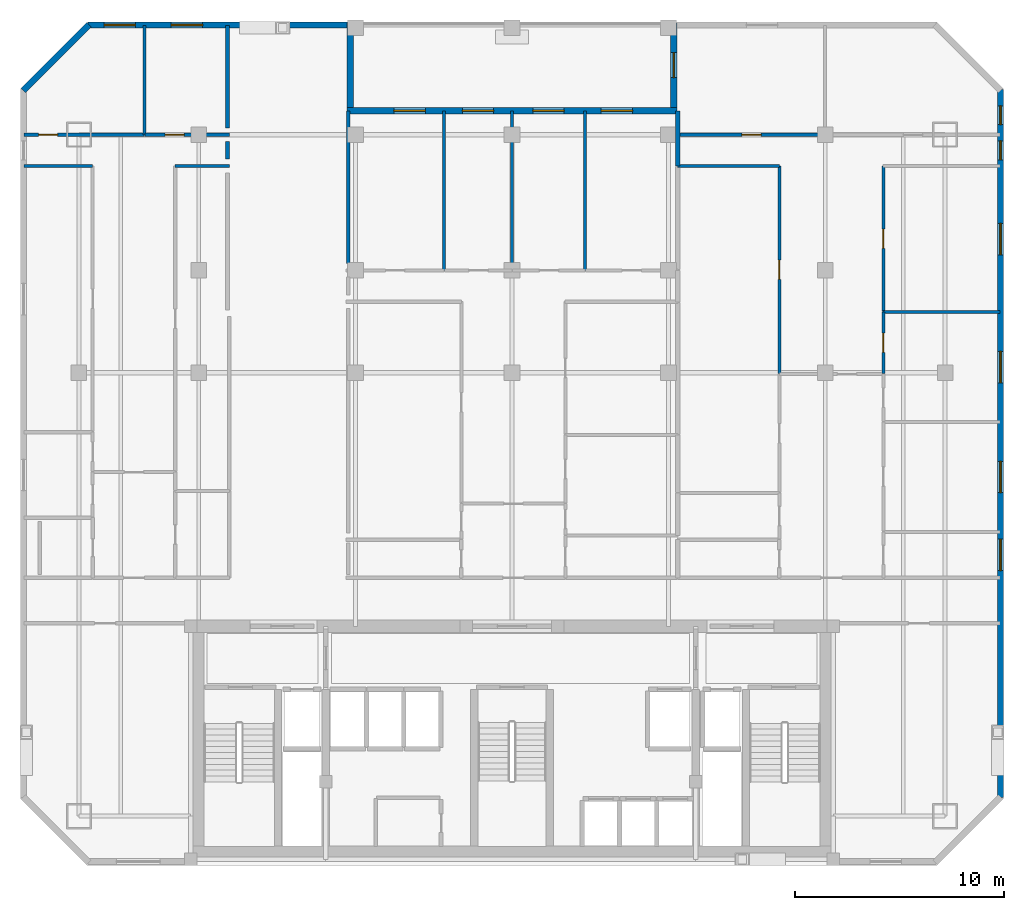
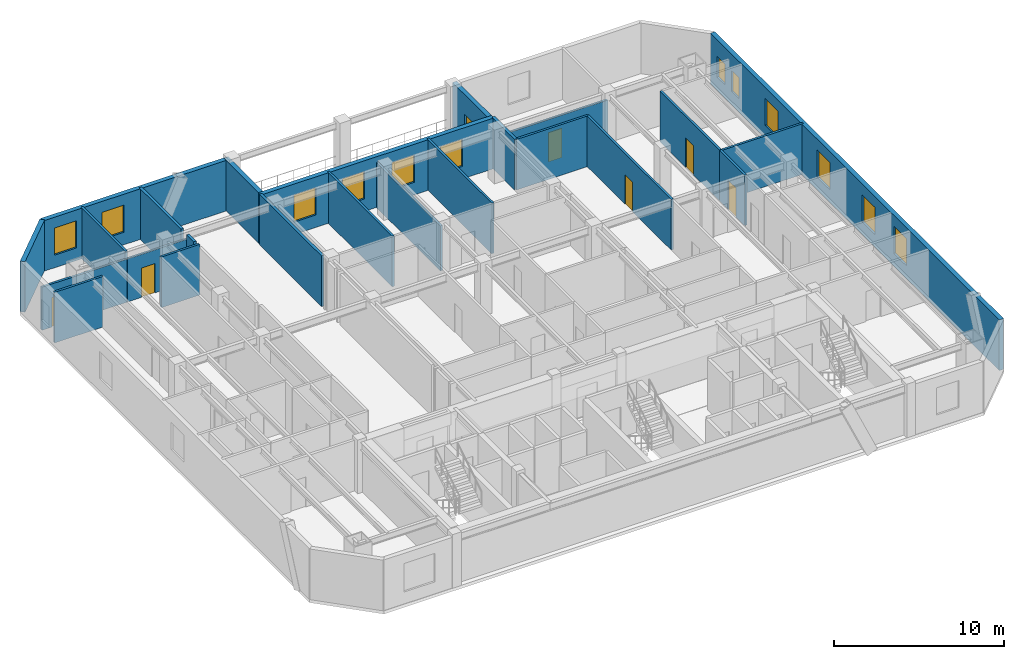
# One storey, part 6 of 8: 24 walls, 12 windows, 7 doors, 19 openings.
"""IFC4 building model written with IfcOpenShell, lengths in metres."""

from ifc_helpers import new_model, si_unit, direction, frame, frame_2d, origin, place, context, subcontext, project, spatial, rectangle, extrude, material, layer, layer_set, type_object, element, fill, save


model = new_model("IFC4")

# Units and contexts
model_context = context("Model", 3, precision=1e-05, world=origin(), true_north=direction((0.0, 1.0)))
body_context = subcontext(model_context, "Body", "Model", "MODEL_VIEW")
ifc_project = project(units=[si_unit("LENGTHUNIT", "METRE"), si_unit("AREAUNIT", "SQUARE_METRE"), si_unit("VOLUMEUNIT", "CUBIC_METRE"), si_unit("PLANEANGLEUNIT", "RADIAN"), si_unit("MASSUNIT", "GRAM", prefix="KILO")], contexts=[model_context])

# Site, building, storey
site_placement = place(None, origin())
site = spatial("IfcSite", under=ifc_project, at=site_placement, CompositionType="ELEMENT")
building_placement = place(site_placement, origin())
building = spatial("IfcBuilding", under=site, at=building_placement, Name="Ventersveld Concourse Tower", CompositionType="ELEMENT")
storey_placement = place(building_placement, frame((0.0, 0.0, 192.60009765625)))
storey = spatial("IfcBuildingStorey", under=building, at=storey_placement, Name="L47", CompositionType="ELEMENT", Elevation=192.60009765625)

# Walls
ifc_material_1 = material(Name="Fire-rated autoclaved aerated masonry blockwork", Category="masonry")
ifc_layer_1 = layer(ifc_material_1, 0.179931640625)
ifc_layer_set_1 = layer_set([ifc_layer_1], Name="Fire-rated autoclaved aerated masonry blockwork")
wall_type_1 = type_object("IfcWallType", Name="WL-CORR-180", PredefinedType="PARTITIONING", material=ifc_layer_set_1)
wall_1_placement = place(storey_placement, frame((15.1201171875, 34.675048828125, 0.0), z_axis=(0.0, 0.0, 1.0), x_axis=(0.0, -1.0, 0.0)))
element("IfcWall", 1, at=wall_1_placement, inside=storey, type_object=wall_type_1, Name="L47 Room Enclosure Wall SP-L47-47NW-LIV", PredefinedType="PARTITIONING", context=body_context, shape_type="SweptSolid", body=[
    extrude(rectangle(XDim=0.85009765625, YDim=0.179931640625, at=frame_2d((0.425048828125, 0.0))), origin(), (0.0, 0.0, 1.0), 3.6298828125),
])
wall_2_placement = place(storey_placement, frame((15.1201171875, 40.2275390625, 0.0), z_axis=(0.0, 0.0, 1.0), x_axis=(0.0, -1.0, 0.0)))
element("IfcWall", 2, at=wall_2_placement, inside=storey, type_object=wall_type_1, Name="L47 Room Enclosure Wall SP-L47-47NW-BR2", PredefinedType="PARTITIONING", context=body_context, shape_type="SweptSolid", body=[
    extrude(rectangle(XDim=4.902587890625, YDim=0.179931640625, at=frame_2d((2.451171875, 0.0))), origin(), (0.0, 0.0, 1.0), 3.6298828125),
])
wall_3_placement = place(storey_placement, frame((20.89990234375, 28.824951171875, 0.0), z_axis=(0.0, 0.0, 1.0), x_axis=(0.0, 1.0, 0.0)))
element("IfcWall", 3, at=wall_3_placement, inside=storey, type_object=wall_type_1, Name="L47 Room Enclosure Wall SP-L47-47CM-BR1", PredefinedType="PARTITIONING", context=body_context, shape_type="SweptSolid", body=[
    extrude(rectangle(XDim=7.302490234375, YDim=0.179931640625, at=frame_2d((3.6513671875, 0.0))), origin(), (0.0, 0.0, 1.0), 3.6298828125),
])
ifc_layer_2 = layer(ifc_material_1, 0.199951171875)
ifc_layer_set_2 = layer_set([ifc_layer_2], Name="Fire-rated autoclaved aerated masonry blockwork")
wall_type_2 = type_object("IfcWallType", Name="WL-DEMISE-200", PredefinedType="PARTITIONING", material=ifc_layer_set_2)
wall_4_placement = place(storey_placement, frame((36.68994140625, 33.4951171875, 0.0), z_axis=(0.0, 0.0, 1.0), x_axis=(0.0, 1.0, 0.0)))
element("IfcWall", 4, at=wall_4_placement, inside=storey, type_object=wall_type_2, Name="L47 Interior Partition SP-L47-47CE-LIV-SP-L47-47CM-BR4", PredefinedType="PARTITIONING", context=body_context, shape_type="SweptSolid", body=[
    extrude(rectangle(XDim=2.637939453125, YDim=0.199951171875, at=frame_2d((1.31884765625, 0.0))), origin(), (0.0, 0.0, 1.0), 3.6298828125),
])
ifc_material_2 = material(Name="Autoclaved aerated masonry blockwork", Category="masonry")
ifc_layer_3 = layer(ifc_material_2, 0.14990234375)
ifc_layer_set_3 = layer_set([ifc_layer_3], Name="Autoclaved aerated masonry blockwork")
wall_type_3 = type_object("IfcWallType", Name="WL-INT-150", PredefinedType="PARTITIONING", material=ifc_layer_set_3)
wall_5_placement = place(storey_placement, frame((5.37255859375, 33.5, 0.0), z_axis=(0.0, 0.0, 1.0), x_axis=(1.0, 0.0, 0.0)))
element("IfcWall", 5, at=wall_5_placement, inside=storey, type_object=wall_type_3, Name="L47 Interior Partition SP-L47-47NW-LIV-SP-L47-47NW-DENL", PredefinedType="PARTITIONING", context=body_context, shape_type="SweptSolid", body=[
    extrude(rectangle(XDim=3.291259765625, YDim=0.14990234375, at=frame_2d((1.6455078125, 0.0))), origin(), (0.0, 0.0, 1.0), 3.6298828125),
])
wall_6_placement = place(storey_placement, frame((12.61376953125, 33.5, 0.0), z_axis=(0.0, 0.0, 1.0), x_axis=(1.0, 0.0, 0.0)))
element("IfcWall", 6, at=wall_6_placement, inside=storey, type_object=wall_type_3, Name="L47 Interior Partition SP-L47-47NW-LIV-SP-L47-47NW-MEDR1", PredefinedType="PARTITIONING", context=body_context, shape_type="SweptSolid", body=[
    extrude(rectangle(XDim=2.601318359375, YDim=0.14990234375, at=frame_2d((1.30078125, 0.0))), origin(), (0.0, 0.0, 1.0), 3.6298828125),
])

# Wall, opening, door
wall_7_placement = place(storey_placement, frame((5.37255859375, 35.0, 0.0), z_axis=(0.0, 0.0, 1.0), x_axis=(1.0, 0.0, 0.0)))
wall_7 = element("IfcWall", 7, at=wall_7_placement, inside=storey, type_object=wall_type_3, Name="L47 Interior Partition SP-L47-47NW-LIV-SP-L47-47NW-BR1", PredefinedType="PARTITIONING", context=body_context, shape_type="SweptSolid", body=[
    extrude(rectangle(XDim=5.771240234375, YDim=0.14990234375, at=frame_2d((2.8857421875, 0.0))), origin(), (0.0, 0.0, 1.0), 3.08544921875),
])
opening_1_placement = place(wall_7_placement, frame((0.6943359375, 0.0, 0.0)))
opening_1 = element("IfcOpeningElement", 8, at=opening_1_placement, cuts=wall_7, Name="Opening ID1", PredefinedType="OPENING", context=body_context, shape_type="SweptSolid", body=[
    extrude(rectangle(XDim=0.919921875, YDim=2.10009765625, at=frame_2d((0.4599609375, 1.050048828125))), frame((0.0, 0.0849609375, 0.0), z_axis=(0.0, -1.0, 0.0), x_axis=(1.0, 0.0, 0.0)), (0.0, 0.0, 1.0), 0.169921875),
])
ifc_material_3 = material(Name="Solid-core hardwood veneer timber", Category="wood")
door_type_1 = type_object("IfcDoorType", Name="DR-ROOM-092", OperationType="NOTDEFINED", PredefinedType="DOOR", material=ifc_material_3)
door_1_placement = place(opening_1_placement, origin())
door_1 = element("IfcDoor", 9, at=door_1_placement, inside=storey, type_object=door_type_1, Name="L47 Interior Door SP-L47-47NW-LIV to SP-L47-47NW-BR1 (D-L47-2308)", OperationType="SINGLE_SWING_RIGHT", OverallHeight=2.10009765625, OverallWidth=0.919921875, PredefinedType="DOOR", context=body_context, shape_type="SweptSolid", body=[
    extrude(rectangle(XDim=0.919921875, YDim=2.10009765625, at=frame_2d((0.4599609375, 1.050048828125))), frame((0.0, 0.02490234375, 0.0), z_axis=(0.0, -1.0, 0.0), x_axis=(1.0, 0.0, 0.0)), (0.0, 0.0, 1.0), 0.050048828125),
])
fill(opening_1, door_1)

wall_8_placement = place(storey_placement, frame((11.173828125, 35.0, 0.0), z_axis=(0.0, 0.0, 1.0), x_axis=(1.0, 0.0, 0.0)))
wall_8 = element("IfcWall", 10, at=wall_8_placement, inside=storey, type_object=wall_type_3, Name="L47 Interior Partition SP-L47-47NW-LIV-SP-L47-47NW-BR2", PredefinedType="PARTITIONING", context=body_context, shape_type="SweptSolid", body=[
    extrude(rectangle(XDim=4.041259765625, YDim=0.14990234375, at=frame_2d((2.0205078125, 0.0))), origin(), (0.0, 0.0, 1.0), 3.08544921875),
])
opening_2_placement = place(wall_8_placement, frame((0.954345703125, 0.0, 0.0)))
opening_2 = element("IfcOpeningElement", 11, at=opening_2_placement, cuts=wall_8, Name="Opening ID1", PredefinedType="OPENING", context=body_context, shape_type="SweptSolid", body=[
    extrude(rectangle(XDim=0.919921875, YDim=2.10009765625, at=frame_2d((0.4599609375, 1.050048828125))), frame((0.0, 0.0849609375, 0.0), z_axis=(0.0, -1.0, 0.0), x_axis=(1.0, 0.0, 0.0)), (0.0, 0.0, 1.0), 0.169921875),
])
door_2_placement = place(opening_2_placement, origin())
door_2 = element("IfcDoor", 12, at=door_2_placement, inside=storey, type_object=door_type_1, Name="L47 Interior Door SP-L47-47NW-LIV to SP-L47-47NW-BR2 (D-L47-2309)", OperationType="SINGLE_SWING_LEFT", OverallHeight=2.10009765625, OverallWidth=0.919921875, PredefinedType="DOOR", context=body_context, shape_type="SweptSolid", body=[
    extrude(rectangle(XDim=0.919921875, YDim=2.10009765625, at=frame_2d((0.4599609375, 1.050048828125))), frame((0.0, 0.02490234375, 0.0), z_axis=(0.0, -1.0, 0.0), x_axis=(1.0, 0.0, 0.0)), (0.0, 0.0, 1.0), 0.050048828125),
])
fill(opening_2, door_2)

# Wall
wall_9_placement = place(storey_placement, frame((11.138916015625, 34.9951171875, 0.0), z_axis=(0.0, 0.0, 1.0), x_axis=(0.0, 1.0, 0.0)))
element("IfcWall", 13, at=wall_9_placement, inside=storey, type_object=wall_type_3, Name="L47 Interior Partition SP-L47-47NW-BR1-SP-L47-47NW-BR2", PredefinedType="PARTITIONING", context=body_context, shape_type="SweptSolid", body=[
    extrude(rectangle(XDim=5.232421875, YDim=0.14990234375, at=frame_2d((2.6162109375, 0.0))), origin(), (0.0, 0.0, 1.0), 3.6298828125),
])

# Wall, opening, door
wall_10_placement = place(storey_placement, frame((41.5595703125, 23.563232421875, 0.0), z_axis=(0.0, 0.0, 1.0), x_axis=(0.0, 1.0, 0.0)))
wall_10 = element("IfcWall", 14, at=wall_10_placement, inside=storey, type_object=wall_type_3, Name="L47 Interior Partition SP-L47-47CE-LIV-SP-L47-47CE-DENL", PredefinedType="PARTITIONING", context=body_context, shape_type="SweptSolid", body=[
    extrude(rectangle(XDim=9.941650390625, YDim=0.14990234375, at=frame_2d((4.970703125, 0.0))), origin(), (0.0, 0.0, 1.0), 3.6298828125),
])
opening_3_placement = place(wall_10_placement, frame((4.510986328125, 0.0, 0.0)))
opening_3 = element("IfcOpeningElement", 15, at=opening_3_placement, cuts=wall_10, Name="Opening ID1", PredefinedType="OPENING", context=body_context, shape_type="SweptSolid", body=[
    extrude(rectangle(XDim=0.919921875, YDim=2.10009765625, at=frame_2d((0.4599609375, 1.050048828125))), frame((0.0, 0.0849609375, 0.0), z_axis=(0.0, -1.0, 0.0), x_axis=(1.0, 0.0, 0.0)), (0.0, 0.0, 1.0), 0.169921875),
])
door_3_placement = place(opening_3_placement, origin())
door_3 = element("IfcDoor", 16, at=door_3_placement, inside=storey, type_object=door_type_1, Name="L47 Interior Door SP-L47-47CE-LIV to SP-L47-47CE-DENL (D-L47-2317)", OperationType="SINGLE_SWING_LEFT", OverallHeight=2.10009765625, OverallWidth=0.919921875, PredefinedType="DOOR", context=body_context, shape_type="SweptSolid", body=[
    extrude(rectangle(XDim=0.919921875, YDim=2.10009765625, at=frame_2d((0.4599609375, 1.050048828125))), frame((0.0, 0.02490234375, 0.0), z_axis=(0.0, -1.0, 0.0), x_axis=(1.0, 0.0, 0.0)), (0.0, 0.0, 1.0), 0.050048828125),
])
fill(opening_3, door_3)

# Wall
wall_11_placement = place(storey_placement, frame((36.68505859375, 33.5, 0.0), z_axis=(0.0, 0.0, 1.0), x_axis=(1.0, 0.0, 0.0)))
element("IfcWall", 17, at=wall_11_placement, inside=storey, type_object=wall_type_3, Name="L47 Interior Partition SP-L47-47CE-LIV-SP-L47-47CE-DENL", PredefinedType="PARTITIONING", context=body_context, shape_type="SweptSolid", body=[
    extrude(rectangle(XDim=4.879638671875, YDim=0.14990234375, at=frame_2d((2.43994140625, 0.0))), origin(), (0.0, 0.0, 1.0), 3.6298828125),
])

# Wall, opening, door
wall_12_placement = place(storey_placement, frame((46.53955078125, 23.563232421875, 0.0), z_axis=(0.0, 0.0, 1.0), x_axis=(0.0, 1.0, 0.0)))
wall_12 = element("IfcWall", 18, at=wall_12_placement, inside=storey, type_object=wall_type_3, Name="L47 Interior Partition SP-L47-47CE-LIV-SP-L47-47CE-DENS", PredefinedType="PARTITIONING", context=body_context, shape_type="SweptSolid", body=[
    extrude(rectangle(XDim=2.940185546875, YDim=0.14990234375, at=frame_2d((1.47021484375, 0.0))), origin(), (0.0, 0.0, 1.0), 3.6298828125),
])
opening_4_placement = place(wall_12_placement, frame((1.010009765625, 0.0, 0.0)))
opening_4 = element("IfcOpeningElement", 19, at=opening_4_placement, cuts=wall_12, Name="Opening ID1", PredefinedType="OPENING", context=body_context, shape_type="SweptSolid", body=[
    extrude(rectangle(XDim=0.919921875, YDim=2.10009765625, at=frame_2d((0.4599609375, 1.050048828125))), frame((0.0, 0.0849609375, 0.0), z_axis=(0.0, -1.0, 0.0), x_axis=(1.0, 0.0, 0.0)), (0.0, 0.0, 1.0), 0.169921875),
])
door_4_placement = place(opening_4_placement, origin())
door_4 = element("IfcDoor", 20, at=door_4_placement, inside=storey, type_object=door_type_1, Name="L47 Interior Door SP-L47-47CE-LIV to SP-L47-47CE-DENS (D-L47-2318)", OperationType="SINGLE_SWING_RIGHT", OverallHeight=2.10009765625, OverallWidth=0.919921875, PredefinedType="DOOR", context=body_context, shape_type="SweptSolid", body=[
    extrude(rectangle(XDim=0.919921875, YDim=2.10009765625, at=frame_2d((0.4599609375, 1.050048828125))), frame((0.0, 0.02490234375, 0.0), z_axis=(0.0, -1.0, 0.0), x_axis=(1.0, 0.0, 0.0)), (0.0, 0.0, 1.0), 0.050048828125),
])
fill(opening_4, door_4)

wall_13_placement = place(storey_placement, frame((46.53955078125, 26.533203125, 0.0), z_axis=(0.0, 0.0, 1.0), x_axis=(0.0, 1.0, 0.0)))
wall_13 = element("IfcWall", 21, at=wall_13_placement, inside=storey, type_object=wall_type_3, Name="L47 Interior Partition SP-L47-47CE-LIV-SP-L47-47CE-DENS2", PredefinedType="PARTITIONING", context=body_context, shape_type="SweptSolid", body=[
    extrude(rectangle(XDim=6.9716796875, YDim=0.14990234375, at=frame_2d((3.48583984375, 0.0))), origin(), (0.0, 0.0, 1.0), 3.6298828125),
])
opening_5_placement = place(wall_13_placement, frame((3.02587890625, 0.0, 0.0)))
opening_5 = element("IfcOpeningElement", 22, at=opening_5_placement, cuts=wall_13, Name="Opening ID1", PredefinedType="OPENING", context=body_context, shape_type="SweptSolid", body=[
    extrude(rectangle(XDim=0.919921875, YDim=2.10009765625, at=frame_2d((0.4599609375, 1.050048828125))), frame((0.0, 0.0849609375, 0.0), z_axis=(0.0, -1.0, 0.0), x_axis=(1.0, 0.0, 0.0)), (0.0, 0.0, 1.0), 0.169921875),
])
door_5_placement = place(opening_5_placement, origin())
door_5 = element("IfcDoor", 23, at=door_5_placement, inside=storey, type_object=door_type_1, Name="L47 Interior Door SP-L47-47CE-LIV to SP-L47-47CE-DENS2 (D-L47-2319)", OperationType="SINGLE_SWING_LEFT", OverallHeight=2.10009765625, OverallWidth=0.919921875, PredefinedType="DOOR", context=body_context, shape_type="SweptSolid", body=[
    extrude(rectangle(XDim=0.919921875, YDim=2.10009765625, at=frame_2d((0.4599609375, 1.050048828125))), frame((0.0, 0.02490234375, 0.0), z_axis=(0.0, -1.0, 0.0), x_axis=(1.0, 0.0, 0.0)), (0.0, 0.0, 1.0), 0.050048828125),
])
fill(opening_5, door_5)

wall_14_placement = place(storey_placement, frame((36.68505859375, 35.0, 0.0), z_axis=(0.0, 0.0, 1.0), x_axis=(1.0, 0.0, 0.0)))
wall_14 = element("IfcWall", 24, at=wall_14_placement, inside=storey, type_object=wall_type_3, Name="L47 Interior Partition SP-L47-47CE-LIV-SP-L47-47CE-BR1", PredefinedType="PARTITIONING", context=body_context, shape_type="SweptSolid", body=[
    extrude(rectangle(XDim=7.06982421875, YDim=0.14990234375, at=frame_2d((3.534912109375, 0.0))), origin(), (0.0, 0.0, 1.0), 3.08544921875),
])
opening_6_placement = place(wall_14_placement, frame((3.074951171875, 0.0, 0.0)))
opening_6 = element("IfcOpeningElement", 25, at=opening_6_placement, cuts=wall_14, Name="Opening ID1", PredefinedType="OPENING", context=body_context, shape_type="SweptSolid", body=[
    extrude(rectangle(XDim=0.919921875, YDim=2.10009765625, at=frame_2d((0.4599609375, 1.050048828125))), frame((0.0, 0.0849609375, 0.0), z_axis=(0.0, -1.0, 0.0), x_axis=(1.0, 0.0, 0.0)), (0.0, 0.0, 1.0), 0.169921875),
])
door_6_placement = place(opening_6_placement, origin())
door_6 = element("IfcDoor", 26, at=door_6_placement, inside=storey, type_object=door_type_1, Name="L47 Interior Door SP-L47-47CE-LIV to SP-L47-47CE-BR1 (D-L47-2320)", OperationType="SINGLE_SWING_RIGHT", OverallHeight=2.10009765625, OverallWidth=0.919921875, PredefinedType="DOOR", context=body_context, shape_type="SweptSolid", body=[
    extrude(rectangle(XDim=0.919921875, YDim=2.10009765625, at=frame_2d((0.4599609375, 1.050048828125))), frame((0.0, 0.02490234375, 0.0), z_axis=(0.0, -1.0, 0.0), x_axis=(1.0, 0.0, 0.0)), (0.0, 0.0, 1.0), 0.050048828125),
])
fill(opening_6, door_6)

# Walls
wall_15_placement = place(storey_placement, frame((46.53466796875, 26.498291015625, 0.0), z_axis=(0.0, 0.0, 1.0), x_axis=(1.0, 0.0, 0.0)))
element("IfcWall", 27, at=wall_15_placement, inside=storey, type_object=wall_type_3, Name="L47 Interior Partition SP-L47-47CE-DENS-SP-L47-47CE-DENS2", PredefinedType="PARTITIONING", context=body_context, shape_type="SweptSolid", body=[
    extrude(rectangle(XDim=5.5927734375, YDim=0.14990234375, at=frame_2d((2.79638671875, 0.0))), origin(), (0.0, 0.0, 1.0), 3.6298828125),
])
wall_16_placement = place(storey_placement, frame((25.490478515625, 28.4951171875, 0.0), z_axis=(0.0, 0.0, 1.0), x_axis=(0.0, 1.0, 0.0)))
element("IfcWall", 28, at=wall_16_placement, inside=storey, type_object=wall_type_3, Name="L47 Interior Partition SP-L47-47CM-BR1-SP-L47-47CM-BR2", PredefinedType="PARTITIONING", context=body_context, shape_type="SweptSolid", body=[
    extrude(rectangle(XDim=7.63232421875, YDim=0.14990234375, at=frame_2d((3.816162109375, 0.0))), origin(), (0.0, 0.0, 1.0), 3.6298828125),
])
wall_17_placement = place(storey_placement, frame((28.75, 28.4951171875, 0.0), z_axis=(0.0, 0.0, 1.0), x_axis=(0.0, 1.0, 0.0)))
element("IfcWall", 29, at=wall_17_placement, inside=storey, type_object=wall_type_3, Name="L47 Interior Partition SP-L47-47CM-BR2-SP-L47-47CM-BR3", PredefinedType="PARTITIONING", context=body_context, shape_type="SweptSolid", body=[
    extrude(rectangle(XDim=7.63232421875, YDim=0.14990234375, at=frame_2d((3.816162109375, 0.0))), origin(), (0.0, 0.0, 1.0), 3.223388671875),
])
wall_18_placement = place(storey_placement, frame((32.24609375, 28.4951171875, 0.0), z_axis=(0.0, 0.0, 1.0), x_axis=(0.0, 1.0, 0.0)))
element("IfcWall", 30, at=wall_18_placement, inside=storey, type_object=wall_type_3, Name="L47 Interior Partition SP-L47-47CM-BR3-SP-L47-47CM-BR4", PredefinedType="PARTITIONING", context=body_context, shape_type="SweptSolid", body=[
    extrude(rectangle(XDim=7.63232421875, YDim=0.14990234375, at=frame_2d((3.816162109375, 0.0))), origin(), (0.0, 0.0, 1.0), 3.6298828125),
])

# Wall, openings, windows
ifc_material_4 = material(Name="Precast concrete C45/55", Category="concrete")
ifc_layer_4 = layer(ifc_material_4, 0.300048828125)
ifc_layer_set_4 = layer_set([ifc_layer_4], Name="Precast concrete C45/55")
wall_type_4 = type_object("IfcWallType", Name="WL-PREC-300", PredefinedType="SOLIDWALL", material=ifc_layer_set_4)
wall_19_placement = place(storey_placement, frame((52.14990234375, 3.239990234375, 0.0), z_axis=(0.0, 0.0, 1.0), x_axis=(0.0, 1.0, 0.0)))
wall_19 = element("IfcWall", 31, at=wall_19_placement, inside=storey, type_object=wall_type_4, Name="L47 Highveld Precast Facade Wall E03", PredefinedType="SOLIDWALL", context=body_context, shape_type="SweptSolid", body=[
    extrude(rectangle(XDim=33.919921875, YDim=0.300048828125, at=frame_2d((16.9599609375, 0.0))), origin(), (0.0, 0.0, 1.0), 3.6298828125),
])
opening_7_placement = place(wall_19_placement, frame((30.56005859375, 0.0, 0.949951171875)))
opening_7 = element("IfcOpeningElement", 32, at=opening_7_placement, cuts=wall_19, Name="Opening W4", PredefinedType="OPENING", context=body_context, shape_type="SweptSolid", body=[
    extrude(rectangle(XDim=0.89990234375, YDim=1.5, at=frame_2d((0.449951171875, 0.75))), frame((0.0, 0.16015625, 0.0), z_axis=(0.0, -1.0, 0.0), x_axis=(1.0, 0.0, 0.0)), (0.0, 0.0, 1.0), 0.320068359375),
])
opening_8_placement = place(wall_19_placement, frame((10.88037109375, 0.0, 0.89990234375)))
opening_8 = element("IfcOpeningElement", 33, at=opening_8_placement, cuts=wall_19, Name="Opening W1", PredefinedType="OPENING", context=body_context, shape_type="SweptSolid", body=[
    extrude(rectangle(XDim=1.5, YDim=1.949951171875, at=frame_2d((0.75, 0.97509765625))), frame((0.0, 0.16015625, 0.0), z_axis=(0.0, -1.0, 0.0), x_axis=(1.0, 0.0, 0.0)), (0.0, 0.0, 1.0), 0.320068359375),
])
opening_9_placement = place(wall_19_placement, frame((14.61279296875, 0.0, 0.89990234375)))
opening_9 = element("IfcOpeningElement", 34, at=opening_9_placement, cuts=wall_19, Name="Opening W1", PredefinedType="OPENING", context=body_context, shape_type="SweptSolid", body=[
    extrude(rectangle(XDim=1.5, YDim=1.949951171875, at=frame_2d((0.75, 0.97509765625))), frame((0.0, 0.16015625, 0.0), z_axis=(0.0, -1.0, 0.0), x_axis=(1.0, 0.0, 0.0)), (0.0, 0.0, 1.0), 0.320068359375),
])
opening_10_placement = place(wall_19_placement, frame((19.87646484375, 0.0, 0.89990234375)))
opening_10 = element("IfcOpeningElement", 35, at=opening_10_placement, cuts=wall_19, Name="Opening W1", PredefinedType="OPENING", context=body_context, shape_type="SweptSolid", body=[
    extrude(rectangle(XDim=1.5, YDim=1.949951171875, at=frame_2d((0.75, 0.97509765625))), frame((0.0, 0.16015625, 0.0), z_axis=(0.0, -1.0, 0.0), x_axis=(1.0, 0.0, 0.0)), (0.0, 0.0, 1.0), 0.320068359375),
])
opening_11_placement = place(wall_19_placement, frame((26.009033203125, 0.0, 0.89990234375)))
opening_11 = element("IfcOpeningElement", 36, at=opening_11_placement, cuts=wall_19, Name="Opening W1", PredefinedType="OPENING", context=body_context, shape_type="SweptSolid", body=[
    extrude(rectangle(XDim=1.5, YDim=1.949951171875, at=frame_2d((0.75, 0.97509765625))), frame((0.0, 0.16015625, 0.0), z_axis=(0.0, -1.0, 0.0), x_axis=(1.0, 0.0, 0.0)), (0.0, 0.0, 1.0), 0.320068359375),
])
opening_12_placement = place(wall_19_placement, frame((32.239990234375, 0.0, 0.949951171875)))
opening_12 = element("IfcOpeningElement", 37, at=opening_12_placement, cuts=wall_19, Name="Opening W4", PredefinedType="OPENING", context=body_context, shape_type="SweptSolid", body=[
    extrude(rectangle(XDim=0.89990234375, YDim=1.5, at=frame_2d((0.449951171875, 0.75))), frame((0.0, 0.16015625, 0.0), z_axis=(0.0, -1.0, 0.0), x_axis=(1.0, 0.0, 0.0)), (0.0, 0.0, 1.0), 0.320068359375),
])
ifc_material_5 = material(Name="Tempered acoustic Low-E IGU", Category="glass")
window_type_1 = type_object("IfcWindowType", Name="WIN-090x150", PartitioningType="SINGLE_PANEL", PredefinedType="WINDOW", material=ifc_material_5)
window_1_placement = place(opening_7_placement, origin())
window_1 = element("IfcWindow", 38, at=window_1_placement, inside=storey, type_object=window_type_1, Name="L47 Punched Low-E Window W-0658", OverallHeight=1.5, OverallWidth=0.89990234375, PartitioningType="SINGLE_PANEL", PredefinedType="WINDOW", context=body_context, shape_type="SweptSolid", body=[
    extrude(rectangle(XDim=0.89990234375, YDim=1.5, at=frame_2d((0.449951171875, 0.75))), frame((0.0, 0.030029296875, 0.0), z_axis=(0.0, -1.0, 0.0), x_axis=(1.0, 0.0, 0.0)), (0.0, 0.0, 1.0), 0.06005859375),
])
fill(opening_7, window_1)
window_2_placement = place(opening_12_placement, origin())
window_2 = element("IfcWindow", 39, at=window_2_placement, inside=storey, type_object=window_type_1, Name="L47 Punched Low-E Window W-0664", OverallHeight=1.5, OverallWidth=0.89990234375, PartitioningType="SINGLE_PANEL", PredefinedType="WINDOW", context=body_context, shape_type="SweptSolid", body=[
    extrude(rectangle(XDim=0.89990234375, YDim=1.5, at=frame_2d((0.449951171875, 0.75))), frame((0.0, 0.030029296875, 0.0), z_axis=(0.0, -1.0, 0.0), x_axis=(1.0, 0.0, 0.0)), (0.0, 0.0, 1.0), 0.06005859375),
])
fill(opening_12, window_2)
window_type_2 = type_object("IfcWindowType", Name="WIN-150x210", PartitioningType="SINGLE_PANEL", PredefinedType="WINDOW", material=ifc_material_5)
window_3_placement = place(opening_8_placement, origin())
window_3 = element("IfcWindow", 40, at=window_3_placement, inside=storey, type_object=window_type_2, Name="L47 Punched Low-E Window W-0659", OverallHeight=1.949951171875, OverallWidth=1.5, PartitioningType="SINGLE_PANEL", PredefinedType="WINDOW", context=body_context, shape_type="SweptSolid", body=[
    extrude(rectangle(XDim=1.5, YDim=1.949951171875, at=frame_2d((0.75, 0.97509765625))), frame((0.0, 0.030029296875, 0.0), z_axis=(0.0, -1.0, 0.0), x_axis=(1.0, 0.0, 0.0)), (0.0, 0.0, 1.0), 0.06005859375),
])
fill(opening_8, window_3)
window_4_placement = place(opening_9_placement, origin())
window_4 = element("IfcWindow", 41, at=window_4_placement, inside=storey, type_object=window_type_2, Name="L47 Punched Low-E Window W-0660", OverallHeight=1.949951171875, OverallWidth=1.5, PartitioningType="SINGLE_PANEL", PredefinedType="WINDOW", context=body_context, shape_type="SweptSolid", body=[
    extrude(rectangle(XDim=1.5, YDim=1.949951171875, at=frame_2d((0.75, 0.97509765625))), frame((0.0, 0.030029296875, 0.0), z_axis=(0.0, -1.0, 0.0), x_axis=(1.0, 0.0, 0.0)), (0.0, 0.0, 1.0), 0.06005859375),
])
fill(opening_9, window_4)
window_5_placement = place(opening_10_placement, origin())
window_5 = element("IfcWindow", 42, at=window_5_placement, inside=storey, type_object=window_type_2, Name="L47 Punched Low-E Window W-0661", OverallHeight=1.949951171875, OverallWidth=1.5, PartitioningType="SINGLE_PANEL", PredefinedType="WINDOW", context=body_context, shape_type="SweptSolid", body=[
    extrude(rectangle(XDim=1.5, YDim=1.949951171875, at=frame_2d((0.75, 0.97509765625))), frame((0.0, 0.030029296875, 0.0), z_axis=(0.0, -1.0, 0.0), x_axis=(1.0, 0.0, 0.0)), (0.0, 0.0, 1.0), 0.06005859375),
])
fill(opening_10, window_5)
window_6_placement = place(opening_11_placement, origin())
window_6 = element("IfcWindow", 43, at=window_6_placement, inside=storey, type_object=window_type_2, Name="L47 Punched Low-E Window W-0662", OverallHeight=1.949951171875, OverallWidth=1.5, PartitioningType="SINGLE_PANEL", PredefinedType="WINDOW", context=body_context, shape_type="SweptSolid", body=[
    extrude(rectangle(XDim=1.5, YDim=1.949951171875, at=frame_2d((0.75, 0.97509765625))), frame((0.0, 0.030029296875, 0.0), z_axis=(0.0, -1.0, 0.0), x_axis=(1.0, 0.0, 0.0)), (0.0, 0.0, 1.0), 0.06005859375),
])
fill(opening_11, window_6)

# Wall, opening, door
wall_20_placement = place(storey_placement, frame((36.5, 40.360107421875, 0.0), z_axis=(0.0, 0.0, 1.0), x_axis=(0.0, -1.0, 0.0)))
wall_20 = element("IfcWall", 44, at=wall_20_placement, inside=storey, type_object=wall_type_4, Name="L47 Highveld Precast Facade Wall E06", PredefinedType="SOLIDWALL", context=body_context, shape_type="SweptSolid", body=[
    extrude(rectangle(XDim=4.06005859375, YDim=0.300048828125, at=frame_2d((2.030029296875, 0.0))), origin(), (0.0, 0.0, 1.0), 3.6298828125),
])
opening_13_placement = place(wall_20_placement, frame((1.429931640625, 0.0, 0.0)))
opening_13 = element("IfcOpeningElement", 45, at=opening_13_placement, cuts=wall_20, Name="Opening TD1", PredefinedType="OPENING", context=body_context, shape_type="SweptSolid", body=[
    extrude(rectangle(XDim=1.199951171875, YDim=2.199951171875, at=frame_2d((0.60009765625, 1.10009765625))), frame((0.0, 0.16015625, 0.0), z_axis=(0.0, -1.0, 0.0), x_axis=(1.0, 0.0, 0.0)), (0.0, 0.0, 1.0), 0.320068359375),
])
ifc_material_6 = material(Name="Anodised aluminium EN AW-6063-T6", Category="aluminium")
door_type_2 = type_object("IfcDoorType", Name="DR-TERR-120", OperationType="NOTDEFINED", PredefinedType="DOOR", material=ifc_material_6)
door_7_placement = place(opening_13_placement, frame((1.199951171875, 0.0, 0.0), z_axis=(0.0, 0.0, 1.0), x_axis=(-1.0, 0.0, 0.0)))
door_7 = element("IfcDoor", 46, at=door_7_placement, inside=storey, type_object=door_type_2, Name="L47 Stepped Valley Terrace Door TD-L47-01", OperationType="SINGLE_SWING_RIGHT", OverallHeight=2.199951171875, OverallWidth=1.199951171875, PredefinedType="DOOR", context=body_context, shape_type="SweptSolid", body=[
    extrude(rectangle(XDim=1.199951171875, YDim=2.199951171875, at=frame_2d((0.60009765625, 1.10009765625))), frame((0.0, 0.02490234375, 0.0), z_axis=(0.0, -1.0, 0.0), x_axis=(1.0, 0.0, 0.0)), (0.0, 0.0, 1.0), 0.050048828125),
])
fill(opening_13, door_7)

# Wall, openings, windows
wall_21_placement = place(storey_placement, frame((36.64990234375, 36.14990234375, 0.0), z_axis=(0.0, 0.0, 1.0), x_axis=(-1.0, 0.0, 0.0)))
wall_21 = element("IfcWall", 47, at=wall_21_placement, inside=storey, type_object=wall_type_4, Name="L47 Highveld Precast Facade Wall E07", PredefinedType="SOLIDWALL", context=body_context, shape_type="SweptSolid", body=[
    extrude(rectangle(XDim=15.7998046875, YDim=0.300048828125, at=frame_2d((7.89990234375, 0.0))), origin(), (0.0, 0.0, 1.0), 3.6298828125),
])
opening_14_placement = place(wall_21_placement, frame((12.055419921875, 0.0, 0.89990234375)))
opening_14 = element("IfcOpeningElement", 48, at=opening_14_placement, cuts=wall_21, Name="Opening W1", PredefinedType="OPENING", context=body_context, shape_type="SweptSolid", body=[
    extrude(rectangle(XDim=1.5, YDim=1.949951171875, at=frame_2d((0.75, 0.97509765625))), frame((0.0, 0.16015625, 0.0), z_axis=(0.0, -1.0, 0.0), x_axis=(1.0, 0.0, 0.0)), (0.0, 0.0, 1.0), 0.320068359375),
])
opening_15_placement = place(wall_21_placement, frame((8.77978515625, 0.0, 0.89990234375)))
opening_15 = element("IfcOpeningElement", 49, at=opening_15_placement, cuts=wall_21, Name="Opening W1", PredefinedType="OPENING", context=body_context, shape_type="SweptSolid", body=[
    extrude(rectangle(XDim=1.5, YDim=1.949951171875, at=frame_2d((0.75, 0.97509765625))), frame((0.0, 0.16015625, 0.0), z_axis=(0.0, -1.0, 0.0), x_axis=(1.0, 0.0, 0.0)), (0.0, 0.0, 1.0), 0.320068359375),
])
opening_16_placement = place(wall_21_placement, frame((5.40185546875, 0.0, 0.89990234375)))
opening_16 = element("IfcOpeningElement", 50, at=opening_16_placement, cuts=wall_21, Name="Opening W1", PredefinedType="OPENING", context=body_context, shape_type="SweptSolid", body=[
    extrude(rectangle(XDim=1.5, YDim=1.949951171875, at=frame_2d((0.75, 0.97509765625))), frame((0.0, 0.16015625, 0.0), z_axis=(0.0, -1.0, 0.0), x_axis=(1.0, 0.0, 0.0)), (0.0, 0.0, 1.0), 0.320068359375),
])
opening_17_placement = place(wall_21_placement, frame((2.126220703125, 0.0, 0.89990234375)))
opening_17 = element("IfcOpeningElement", 51, at=opening_17_placement, cuts=wall_21, Name="Opening W1", PredefinedType="OPENING", context=body_context, shape_type="SweptSolid", body=[
    extrude(rectangle(XDim=1.5, YDim=1.949951171875, at=frame_2d((0.75, 0.97509765625))), frame((0.0, 0.16015625, 0.0), z_axis=(0.0, -1.0, 0.0), x_axis=(1.0, 0.0, 0.0)), (0.0, 0.0, 1.0), 0.320068359375),
])
window_7_placement = place(opening_14_placement, origin())
window_7 = element("IfcWindow", 52, at=window_7_placement, inside=storey, type_object=window_type_2, Name="L47 Punched Low-E Window W-0665", OverallHeight=1.949951171875, OverallWidth=1.5, PartitioningType="SINGLE_PANEL", PredefinedType="WINDOW", context=body_context, shape_type="SweptSolid", body=[
    extrude(rectangle(XDim=1.5, YDim=1.949951171875, at=frame_2d((0.75, 0.97509765625))), frame((0.0, 0.030029296875, 0.0), z_axis=(0.0, -1.0, 0.0), x_axis=(1.0, 0.0, 0.0)), (0.0, 0.0, 1.0), 0.06005859375),
])
fill(opening_14, window_7)
window_8_placement = place(opening_15_placement, origin())
window_8 = element("IfcWindow", 53, at=window_8_placement, inside=storey, type_object=window_type_2, Name="L47 Punched Low-E Window W-0666", OverallHeight=1.949951171875, OverallWidth=1.5, PartitioningType="SINGLE_PANEL", PredefinedType="WINDOW", context=body_context, shape_type="SweptSolid", body=[
    extrude(rectangle(XDim=1.5, YDim=1.949951171875, at=frame_2d((0.75, 0.97509765625))), frame((0.0, 0.030029296875, 0.0), z_axis=(0.0, -1.0, 0.0), x_axis=(1.0, 0.0, 0.0)), (0.0, 0.0, 1.0), 0.06005859375),
])
fill(opening_15, window_8)
window_9_placement = place(opening_16_placement, origin())
window_9 = element("IfcWindow", 54, at=window_9_placement, inside=storey, type_object=window_type_2, Name="L47 Punched Low-E Window W-0667", OverallHeight=1.949951171875, OverallWidth=1.5, PartitioningType="SINGLE_PANEL", PredefinedType="WINDOW", context=body_context, shape_type="SweptSolid", body=[
    extrude(rectangle(XDim=1.5, YDim=1.949951171875, at=frame_2d((0.75, 0.97509765625))), frame((0.0, 0.030029296875, 0.0), z_axis=(0.0, -1.0, 0.0), x_axis=(1.0, 0.0, 0.0)), (0.0, 0.0, 1.0), 0.06005859375),
])
fill(opening_16, window_9)
window_10_placement = place(opening_17_placement, origin())
window_10 = element("IfcWindow", 55, at=window_10_placement, inside=storey, type_object=window_type_2, Name="L47 Punched Low-E Window W-0668", OverallHeight=1.949951171875, OverallWidth=1.5, PartitioningType="SINGLE_PANEL", PredefinedType="WINDOW", context=body_context, shape_type="SweptSolid", body=[
    extrude(rectangle(XDim=1.5, YDim=1.949951171875, at=frame_2d((0.75, 0.97509765625))), frame((0.0, 0.030029296875, 0.0), z_axis=(0.0, -1.0, 0.0), x_axis=(1.0, 0.0, 0.0)), (0.0, 0.0, 1.0), 0.06005859375),
])
fill(opening_17, window_10)

# Wall
wall_22_placement = place(storey_placement, frame((21.0, 36.300048828125, 0.0), z_axis=(0.0, 0.0, 1.0), x_axis=(0.0, 1.0, 0.0)))
element("IfcWall", 56, at=wall_22_placement, inside=storey, type_object=wall_type_4, Name="L47 Highveld Precast Facade Wall E08", PredefinedType="SOLIDWALL", context=body_context, shape_type="SweptSolid", body=[
    extrude(rectangle(XDim=4.06005859375, YDim=0.300048828125, at=frame_2d((2.030029296875, 0.0))), origin(), (0.0, 0.0, 1.0), 3.6298828125),
])

# Wall, openings, windows
wall_23_placement = place(storey_placement, frame((21.110107421875, 40.25, 0.0), z_axis=(0.0, 0.0, 1.0), x_axis=(-1.0, 0.0, 0.0)))
wall_23 = element("IfcWall", 57, at=wall_23_placement, inside=storey, type_object=wall_type_4, Name="L47 Highveld Precast Facade Wall E09", PredefinedType="SOLIDWALL", context=body_context, shape_type="SweptSolid", body=[
    extrude(rectangle(XDim=12.670166015625, YDim=0.300048828125, at=frame_2d((6.3349609375, 0.0))), origin(), (0.0, 0.0, 1.0), 3.6298828125),
])
opening_18_placement = place(wall_23_placement, frame((10.39990234375, 0.0, 0.89990234375)))
opening_18 = element("IfcOpeningElement", 58, at=opening_18_placement, cuts=wall_23, Name="Opening W1", PredefinedType="OPENING", context=body_context, shape_type="SweptSolid", body=[
    extrude(rectangle(XDim=1.5, YDim=1.949951171875, at=frame_2d((0.75, 0.97509765625))), frame((0.0, 0.16015625, 0.0), z_axis=(0.0, -1.0, 0.0), x_axis=(1.0, 0.0, 0.0)), (0.0, 0.0, 1.0), 0.320068359375),
])
opening_19_placement = place(wall_23_placement, frame((7.185546875, 0.0, 0.89990234375)))
opening_19 = element("IfcOpeningElement", 59, at=opening_19_placement, cuts=wall_23, Name="Opening W1", PredefinedType="OPENING", context=body_context, shape_type="SweptSolid", body=[
    extrude(rectangle(XDim=1.5, YDim=1.949951171875, at=frame_2d((0.75, 0.97509765625))), frame((0.0, 0.16015625, 0.0), z_axis=(0.0, -1.0, 0.0), x_axis=(1.0, 0.0, 0.0)), (0.0, 0.0, 1.0), 0.320068359375),
])
window_11_placement = place(opening_18_placement, origin())
window_11 = element("IfcWindow", 60, at=window_11_placement, inside=storey, type_object=window_type_2, Name="L47 Punched Low-E Window W-0656", OverallHeight=1.949951171875, OverallWidth=1.5, PartitioningType="SINGLE_PANEL", PredefinedType="WINDOW", context=body_context, shape_type="SweptSolid", body=[
    extrude(rectangle(XDim=1.5, YDim=1.949951171875, at=frame_2d((0.75, 0.97509765625))), frame((0.0, 0.030029296875, 0.0), z_axis=(0.0, -1.0, 0.0), x_axis=(1.0, 0.0, 0.0)), (0.0, 0.0, 1.0), 0.06005859375),
])
fill(opening_18, window_11)
window_12_placement = place(opening_19_placement, origin())
window_12 = element("IfcWindow", 61, at=window_12_placement, inside=storey, type_object=window_type_2, Name="L47 Punched Low-E Window W-0657", OverallHeight=1.949951171875, OverallWidth=1.5, PartitioningType="SINGLE_PANEL", PredefinedType="WINDOW", context=body_context, shape_type="SweptSolid", body=[
    extrude(rectangle(XDim=1.5, YDim=1.949951171875, at=frame_2d((0.75, 0.97509765625))), frame((0.0, 0.030029296875, 0.0), z_axis=(0.0, -1.0, 0.0), x_axis=(1.0, 0.0, 0.0)), (0.0, 0.0, 1.0), 0.06005859375),
])
fill(opening_19, window_12)

# Wall
wall_24_placement = place(storey_placement, frame((8.477783203125, 40.265625, 0.0), z_axis=(0.0, 0.0, 1.0), x_axis=(-0.707106781187, -0.707106781187, 0.0)))
element("IfcWall", 62, at=wall_24_placement, inside=storey, type_object=wall_type_4, Name="L47 Highveld Precast Facade Wall E10", PredefinedType="SOLIDWALL", context=body_context, shape_type="SweptSolid", body=[
    extrude(rectangle(XDim=4.4453125, YDim=0.300048828125, at=frame_2d((2.22265625, 0.0))), origin(), (0.0, 0.0, 1.0), 3.6298828125),
])

save(model, "model.ifc")
